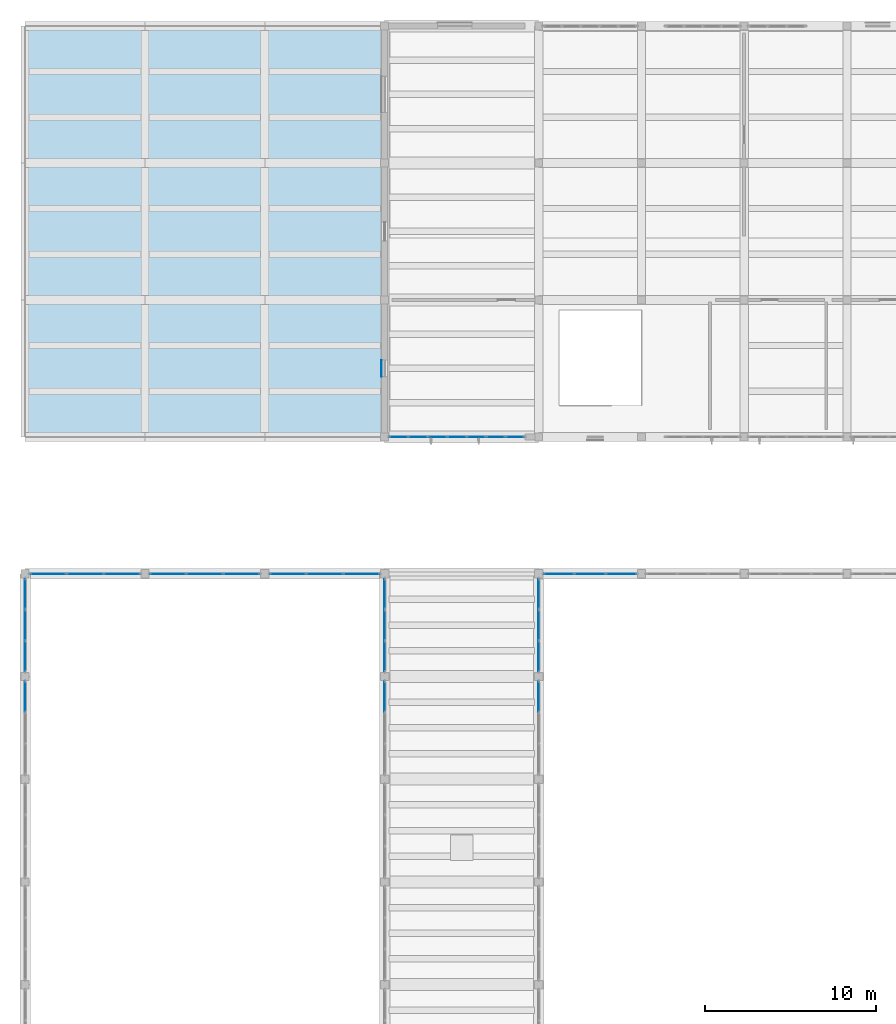
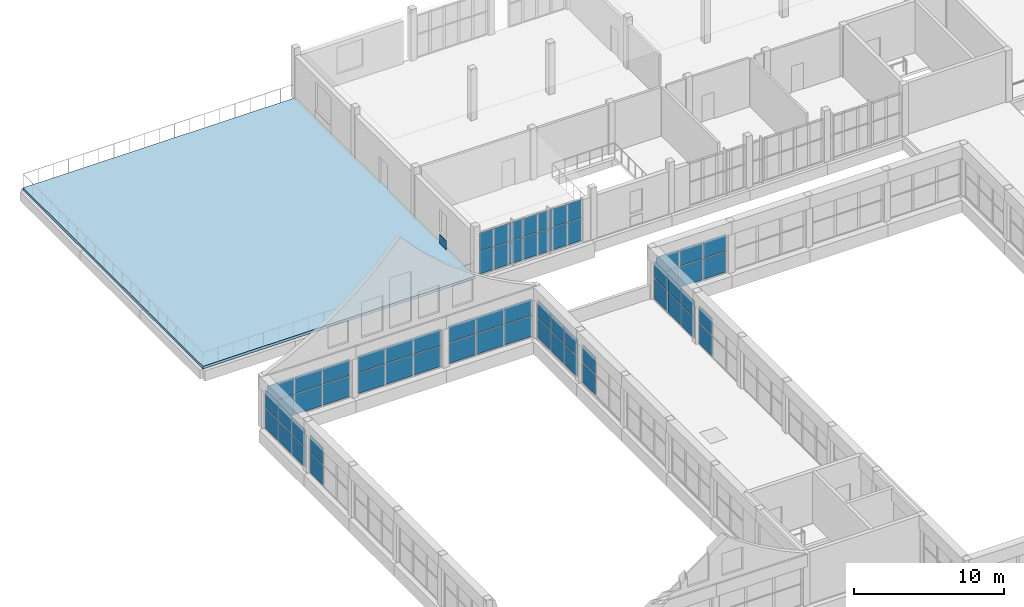
# One storey, part 47 of 70: 63 plates, 1 slab, 11 elements without a shape of their own.
"""IFC4 building model written with IfcOpenShell, lengths in metres."""

from ifc_helpers import new_model, si_unit, direction, frame, origin, origin_2d, place, context, subcontext, project, spatial, polyline, rectangle, outline, extrude, material, layer, layer_set, type_object, element, aggregate, save


model = new_model("IFC4")

# Units and contexts
model_context = context("Model", 3, precision=1e-05, world=origin(), true_north=direction((0.0, 1.0)))
body_context = subcontext(model_context, "Body", "Model", "MODEL_VIEW")
ifc_project = project(units=[si_unit("LENGTHUNIT", "METRE"), si_unit("AREAUNIT", "SQUARE_METRE"), si_unit("VOLUMEUNIT", "CUBIC_METRE"), si_unit("PLANEANGLEUNIT", "RADIAN"), si_unit("MASSUNIT", "GRAM", prefix="KILO")], contexts=[model_context])

# Site, building, storey
site_placement = place(None, origin())
site = spatial("IfcSite", under=ifc_project, at=site_placement, CompositionType="ELEMENT")
building_placement = place(site_placement, origin())
building = spatial("IfcBuilding", under=site, at=building_placement, Name="Solvane Community Centre", CompositionType="ELEMENT")
storey_placement = place(building_placement, frame((0.0, 0.0, 9.60009765625)))
storey = spatial("IfcBuildingStorey", under=building, at=storey_placement, Name="L02", CompositionType="ELEMENT", Elevation=9.60009765625)

# Plate
ifc_material_1 = material(Name="Anodised bronze aluminium AW-6063 T6", Category="aluminium")
ifc_layer_1 = layer(ifc_material_1, 0.02392578125)
ifc_layer_set_1 = layer_set([ifc_layer_1], Name="Anodised bronze aluminium AW-6063 T6")
plate_type_1 = type_object("IfcPlateType", Name="Bronze Spandrel Cassette 24mm", PredefinedType="SHEET", material=ifc_layer_set_1)
plate_1_placement = place(storey_placement, frame((26.81298828125, 90.0, 0.06005859375), z_axis=(0.0, 0.0, 1.0), x_axis=(0.0, 1.0, 0.0)))
element("IfcPlate", 1, at=plate_1_placement, inside=storey, type_object=plate_type_1, Name="Art Deco Spandrel SPC-L02-035", PredefinedType="SHEET", context=body_context, shape_type="SweptSolid", body=[
    extrude(rectangle(XDim=0.949951171875, YDim=0.02392578125, at=origin_2d()), origin(), (0.0, 0.0, 1.0), 0.719970703125),
])

# Slab
ifc_material_2 = material(Name="Concrete C35/45", Category="concrete")
ifc_layer_2 = layer(ifc_material_2, 0.219970703125)
ifc_layer_set_2 = layer_set([ifc_layer_2], Name="Concrete C35/45")
slab_type = type_object("IfcSlabType", Name="Insulated Planted Terrace Slab 220mm [TER-L02-V5W]", PredefinedType="FLOOR", material=ifc_layer_set_2)
slab_placement = place(storey_placement, frame((0.0, 0.0, -0.22021484375)))
element("IfcSlab", 2, at=slab_placement, inside=storey, type_object=slab_type, Name="Cloister West Roof Garden", PredefinedType="FLOOR", context=body_context, shape_type="SweptSolid", body=[
    extrude(outline(polyline([(6.0, 86.0), (27.0, 86.0), (27.0, 110.0), (6.0, 110.0), (6.0, 86.0)])), origin(), (0.0, 0.0, 1.0), 0.22021484375),
])

# Curtain wall, plates
ifc_layer_3 = layer(ifc_material_1, 0.18994140625)
ifc_layer_set_3 = layer_set([ifc_layer_3], Name="Anodised bronze aluminium AW-6063 T6")
curtain_wall_type_1 = type_object("IfcCurtainWallType", Name="Boulevard Bronze Vision Curtain Wall [80x35dm]", PredefinedType="NOTDEFINED", material=ifc_layer_set_3)
curtain_wall_1_placement = place(storey_placement, origin())
curtain_wall_1 = element("IfcCurtainWall", 3, at=curtain_wall_1_placement, inside=storey, type_object=curtain_wall_type_1, Name="Curtain Wall CW-L02-352_860-214", PredefinedType="NOTDEFINED")
ifc_material_3 = material(Name="Tempered low-E double glazing", Category="glass")
ifc_layer_4 = layer(ifc_material_3, 0.028076171875)
ifc_layer_set_4 = layer_set([ifc_layer_4], Name="Tempered low-E double glazing")
plate_type_2 = type_object("IfcPlateType", Name="Low-E Vision Glazing Panel 28mm [80x35dm]", PredefinedType="CURTAIN_PANEL", material=ifc_layer_set_4)
plate_2_placement = place(storey_placement, frame((34.61669921875, 86.0, 0.06005859375), z_axis=(0.0, 0.0, 1.0), x_axis=(-1.0, 0.0, 0.0)))
plate_2 = element("IfcPlate", 4, at=plate_2_placement, type_object=plate_type_2, Name="CW02-80x35 panel 1.1", PredefinedType="CURTAIN_PANEL", context=body_context, shape_type="SweptSolid", body=[
    extrude(rectangle(XDim=1.04638671875, YDim=0.028076171875, at=origin_2d()), origin(), (0.0, 0.0, 1.0), 1.81591796875),
])
plate_3_placement = place(storey_placement, frame((34.61669921875, 86.0, 1.93603515625), z_axis=(0.0, 0.0, 1.0), x_axis=(-1.0, 0.0, 0.0)))
plate_3 = element("IfcPlate", 5, at=plate_3_placement, type_object=plate_type_2, Name="CW02-80x35 panel 1.2", PredefinedType="CURTAIN_PANEL", context=body_context, shape_type="SweptSolid", body=[
    extrude(rectangle(XDim=1.04638671875, YDim=0.028076171875, at=origin_2d()), origin(), (0.0, 0.0, 1.0), 1.468994140625),
])
plate_4_placement = place(storey_placement, frame((33.495361328125, 86.0, 0.06005859375), z_axis=(0.0, 0.0, 1.0), x_axis=(-1.0, 0.0, 0.0)))
plate_4 = element("IfcPlate", 6, at=plate_4_placement, type_object=plate_type_2, Name="CW02-80x35 panel 2.1", PredefinedType="CURTAIN_PANEL", context=body_context, shape_type="SweptSolid", body=[
    extrude(rectangle(XDim=1.076416015625, YDim=0.028076171875, at=origin_2d()), origin(), (0.0, 0.0, 1.0), 1.81591796875),
])
plate_5_placement = place(storey_placement, frame((33.495361328125, 86.0, 1.93603515625), z_axis=(0.0, 0.0, 1.0), x_axis=(-1.0, 0.0, 0.0)))
plate_5 = element("IfcPlate", 7, at=plate_5_placement, type_object=plate_type_2, Name="CW02-80x35 panel 2.2", PredefinedType="CURTAIN_PANEL", context=body_context, shape_type="SweptSolid", body=[
    extrude(rectangle(XDim=1.076416015625, YDim=0.028076171875, at=origin_2d()), origin(), (0.0, 0.0, 1.0), 1.468994140625),
])
plate_6_placement = place(storey_placement, frame((32.35888671875, 86.0, 0.06005859375), z_axis=(0.0, 0.0, 1.0), x_axis=(-1.0, 0.0, 0.0)))
plate_6 = element("IfcPlate", 8, at=plate_6_placement, type_object=plate_type_2, Name="CW02-80x35 panel 3.1", PredefinedType="CURTAIN_PANEL", context=body_context, shape_type="SweptSolid", body=[
    extrude(rectangle(XDim=1.076416015625, YDim=0.028076171875, at=origin_2d()), origin(), (0.0, 0.0, 1.0), 1.81591796875),
])
plate_7_placement = place(storey_placement, frame((32.35888671875, 86.0, 1.93603515625), z_axis=(0.0, 0.0, 1.0), x_axis=(-1.0, 0.0, 0.0)))
plate_7 = element("IfcPlate", 9, at=plate_7_placement, type_object=plate_type_2, Name="CW02-80x35 panel 3.2", PredefinedType="CURTAIN_PANEL", context=body_context, shape_type="SweptSolid", body=[
    extrude(rectangle(XDim=1.076416015625, YDim=0.028076171875, at=origin_2d()), origin(), (0.0, 0.0, 1.0), 1.468994140625),
])
plate_8_placement = place(storey_placement, frame((31.222412109375, 86.0, 0.06005859375), z_axis=(0.0, 0.0, 1.0), x_axis=(-1.0, 0.0, 0.0)))
plate_8 = element("IfcPlate", 10, at=plate_8_placement, type_object=plate_type_2, Name="CW02-80x35 panel 4.1", PredefinedType="CURTAIN_PANEL", context=body_context, shape_type="SweptSolid", body=[
    extrude(rectangle(XDim=1.076416015625, YDim=0.028076171875, at=origin_2d()), origin(), (0.0, 0.0, 1.0), 1.81591796875),
])
plate_9_placement = place(storey_placement, frame((31.222412109375, 86.0, 1.93603515625), z_axis=(0.0, 0.0, 1.0), x_axis=(-1.0, 0.0, 0.0)))
plate_9 = element("IfcPlate", 11, at=plate_9_placement, type_object=plate_type_2, Name="CW02-80x35 panel 4.2", PredefinedType="CURTAIN_PANEL", context=body_context, shape_type="SweptSolid", body=[
    extrude(rectangle(XDim=1.076416015625, YDim=0.028076171875, at=origin_2d()), origin(), (0.0, 0.0, 1.0), 1.468994140625),
])
plate_10_placement = place(storey_placement, frame((30.086181640625, 86.0, 0.06005859375), z_axis=(0.0, 0.0, 1.0), x_axis=(-1.0, 0.0, 0.0)))
plate_10 = element("IfcPlate", 12, at=plate_10_placement, type_object=plate_type_2, Name="CW02-80x35 panel 5.1", PredefinedType="CURTAIN_PANEL", context=body_context, shape_type="SweptSolid", body=[
    extrude(rectangle(XDim=1.076416015625, YDim=0.028076171875, at=origin_2d()), origin(), (0.0, 0.0, 1.0), 1.81591796875),
])
plate_11_placement = place(storey_placement, frame((30.086181640625, 86.0, 1.93603515625), z_axis=(0.0, 0.0, 1.0), x_axis=(-1.0, 0.0, 0.0)))
plate_11 = element("IfcPlate", 13, at=plate_11_placement, type_object=plate_type_2, Name="CW02-80x35 panel 5.2", PredefinedType="CURTAIN_PANEL", context=body_context, shape_type="SweptSolid", body=[
    extrude(rectangle(XDim=1.076416015625, YDim=0.028076171875, at=origin_2d()), origin(), (0.0, 0.0, 1.0), 1.468994140625),
])
plate_12_placement = place(storey_placement, frame((28.94970703125, 86.0, 0.06005859375), z_axis=(0.0, 0.0, 1.0), x_axis=(-1.0, 0.0, 0.0)))
plate_12 = element("IfcPlate", 14, at=plate_12_placement, type_object=plate_type_2, Name="CW02-80x35 panel 6.1", PredefinedType="CURTAIN_PANEL", context=body_context, shape_type="SweptSolid", body=[
    extrude(rectangle(XDim=1.076416015625, YDim=0.028076171875, at=origin_2d()), origin(), (0.0, 0.0, 1.0), 1.81591796875),
])
plate_13_placement = place(storey_placement, frame((28.94970703125, 86.0, 1.93603515625), z_axis=(0.0, 0.0, 1.0), x_axis=(-1.0, 0.0, 0.0)))
plate_13 = element("IfcPlate", 15, at=plate_13_placement, type_object=plate_type_2, Name="CW02-80x35 panel 6.2", PredefinedType="CURTAIN_PANEL", context=body_context, shape_type="SweptSolid", body=[
    extrude(rectangle(XDim=1.076416015625, YDim=0.028076171875, at=origin_2d()), origin(), (0.0, 0.0, 1.0), 1.468994140625),
])
plate_14_placement = place(storey_placement, frame((27.828125, 86.0, 0.06005859375), z_axis=(0.0, 0.0, 1.0), x_axis=(-1.0, 0.0, 0.0)))
plate_14 = element("IfcPlate", 16, at=plate_14_placement, type_object=plate_type_2, Name="CW02-80x35 panel 7.1", PredefinedType="CURTAIN_PANEL", context=body_context, shape_type="SweptSolid", body=[
    extrude(rectangle(XDim=1.04638671875, YDim=0.028076171875, at=origin_2d()), origin(), (0.0, 0.0, 1.0), 1.81591796875),
])
plate_15_placement = place(storey_placement, frame((27.828125, 86.0, 1.93603515625), z_axis=(0.0, 0.0, 1.0), x_axis=(-1.0, 0.0, 0.0)))
plate_15 = element("IfcPlate", 17, at=plate_15_placement, type_object=plate_type_2, Name="CW02-80x35 panel 7.2", PredefinedType="CURTAIN_PANEL", context=body_context, shape_type="SweptSolid", body=[
    extrude(rectangle(XDim=1.04638671875, YDim=0.028076171875, at=origin_2d()), origin(), (0.0, 0.0, 1.0), 1.468994140625),
])
aggregate(curtain_wall_1, [plate_2, plate_3, plate_4, plate_5, plate_6, plate_7, plate_8, plate_9, plate_10, plate_11, plate_12, plate_13, plate_14, plate_15])

ifc_layer_5 = layer(ifc_material_1, 0.179931640625)
ifc_layer_set_5 = layer_set([ifc_layer_5], Name="Anodised bronze aluminium AW-6063 T6")
curtain_wall_type_2 = type_object("IfcCurtainWallType", Name="Hall Translucent Upper Curtain Wall [55x32dm]", PredefinedType="NOTDEFINED", material=ifc_layer_set_5)
curtain_wall_2_placement = place(storey_placement, origin())
curtain_wall_2 = element("IfcCurtainWall", 18, at=curtain_wall_2_placement, inside=storey, type_object=curtain_wall_type_2, Name="Curtain Wall CW-L02-360_777-122", PredefinedType="NOTDEFINED")
ifc_material_4 = material(Name="Translucent polycarbonate panel")
ifc_layer_6 = layer(ifc_material_4, 0.028076171875)
ifc_layer_set_6 = layer_set([ifc_layer_6], Name="Translucent polycarbonate panel")
plate_type_3 = type_object("IfcPlateType", Name="Translucent Polycarbonate Panel 28mm [55x32dm]", PredefinedType="CURTAIN_PANEL", material=ifc_layer_set_6)
plate_16_placement = place(storey_placement, frame((36.0, 76.81494140625, 0.059814453125), z_axis=(0.0, 0.0, 1.0), x_axis=(0.0, -1.0, 0.0)))
plate_16 = element("IfcPlate", 19, at=plate_16_placement, type_object=plate_type_3, Name="CW01-55x32 panel 1.1", PredefinedType="CURTAIN_PANEL", context=body_context, shape_type="SweptSolid", body=[
    extrude(rectangle(XDim=1.739990234375, YDim=0.028076171875, at=origin_2d()), origin(), (0.0, 0.0, 1.0), 1.662109375),
])
plate_17_placement = place(storey_placement, frame((36.0, 76.81494140625, 1.78173828125), z_axis=(0.0, 0.0, 1.0), x_axis=(0.0, -1.0, 0.0)))
plate_17 = element("IfcPlate", 20, at=plate_17_placement, type_object=plate_type_3, Name="CW01-55x32 panel 1.2", PredefinedType="CURTAIN_PANEL", context=body_context, shape_type="SweptSolid", body=[
    extrude(rectangle(XDim=1.739990234375, YDim=0.028076171875, at=origin_2d()), origin(), (0.0, 0.0, 1.0), 1.343017578125),
])
plate_18_placement = place(storey_placement, frame((36.0, 75.0, 0.059814453125), z_axis=(0.0, 0.0, 1.0), x_axis=(0.0, -1.0, 0.0)))
plate_18 = element("IfcPlate", 21, at=plate_18_placement, type_object=plate_type_3, Name="CW01-55x32 panel 2.1", PredefinedType="CURTAIN_PANEL", context=body_context, shape_type="SweptSolid", body=[
    extrude(rectangle(XDim=1.77001953125, YDim=0.028076171875, at=origin_2d()), origin(), (0.0, 0.0, 1.0), 1.662109375),
])
plate_19_placement = place(storey_placement, frame((36.0, 75.0, 1.78173828125), z_axis=(0.0, 0.0, 1.0), x_axis=(0.0, -1.0, 0.0)))
plate_19 = element("IfcPlate", 22, at=plate_19_placement, type_object=plate_type_3, Name="CW01-55x32 panel 2.2", PredefinedType="CURTAIN_PANEL", context=body_context, shape_type="SweptSolid", body=[
    extrude(rectangle(XDim=1.77001953125, YDim=0.028076171875, at=origin_2d()), origin(), (0.0, 0.0, 1.0), 1.343017578125),
])
plate_20_placement = place(storey_placement, frame((36.0, 73.18505859375, 0.059814453125), z_axis=(0.0, 0.0, 1.0), x_axis=(0.0, -1.0, 0.0)))
plate_20 = element("IfcPlate", 23, at=plate_20_placement, type_object=plate_type_3, Name="CW01-55x32 panel 3.1", PredefinedType="CURTAIN_PANEL", context=body_context, shape_type="SweptSolid", body=[
    extrude(rectangle(XDim=1.739990234375, YDim=0.028076171875, at=origin_2d()), origin(), (0.0, 0.0, 1.0), 1.662109375),
])
plate_21_placement = place(storey_placement, frame((36.0, 73.18505859375, 1.78173828125), z_axis=(0.0, 0.0, 1.0), x_axis=(0.0, -1.0, 0.0)))
plate_21 = element("IfcPlate", 24, at=plate_21_placement, type_object=plate_type_3, Name="CW01-55x32 panel 3.2", PredefinedType="CURTAIN_PANEL", context=body_context, shape_type="SweptSolid", body=[
    extrude(rectangle(XDim=1.739990234375, YDim=0.028076171875, at=origin_2d()), origin(), (0.0, 0.0, 1.0), 1.343017578125),
])
aggregate(curtain_wall_2, [plate_16, plate_17, plate_18, plate_19, plate_20, plate_21])

curtain_wall_3_placement = place(storey_placement, origin())
curtain_wall_3 = element("IfcCurtainWall", 25, at=curtain_wall_3_placement, inside=storey, type_object=curtain_wall_type_2, Name="Curtain Wall CW-L02-360_717-123", PredefinedType="NOTDEFINED")
plate_22_placement = place(storey_placement, frame((36.0, 70.81494140625, 0.059814453125), z_axis=(0.0, 0.0, 1.0), x_axis=(0.0, -1.0, 0.0)))
plate_22 = element("IfcPlate", 26, at=plate_22_placement, type_object=plate_type_3, Name="CW01-55x32 panel 1.1", PredefinedType="CURTAIN_PANEL", context=body_context, shape_type="SweptSolid", body=[
    extrude(rectangle(XDim=1.739990234375, YDim=0.028076171875, at=origin_2d()), origin(), (0.0, 0.0, 1.0), 1.662109375),
])
plate_23_placement = place(storey_placement, frame((36.0, 70.81494140625, 1.78173828125), z_axis=(0.0, 0.0, 1.0), x_axis=(0.0, -1.0, 0.0)))
plate_23 = element("IfcPlate", 27, at=plate_23_placement, type_object=plate_type_3, Name="CW01-55x32 panel 1.2", PredefinedType="CURTAIN_PANEL", context=body_context, shape_type="SweptSolid", body=[
    extrude(rectangle(XDim=1.739990234375, YDim=0.028076171875, at=origin_2d()), origin(), (0.0, 0.0, 1.0), 1.343017578125),
])
aggregate(curtain_wall_3, [plate_22, plate_23])

curtain_wall_4_placement = place(storey_placement, origin())
curtain_wall_4 = element("IfcCurtainWall", 28, at=curtain_wall_4_placement, inside=storey, type_object=curtain_wall_type_2, Name="Curtain Wall CW-L02-363_780-158", PredefinedType="NOTDEFINED")
plate_24_placement = place(storey_placement, frame((37.18505859375, 78.0, 0.059814453125), z_axis=(0.0, 0.0, 1.0), x_axis=(1.0, 0.0, 0.0)))
plate_24 = element("IfcPlate", 29, at=plate_24_placement, type_object=plate_type_3, Name="CW01-55x32 panel 1.1", PredefinedType="CURTAIN_PANEL", context=body_context, shape_type="SweptSolid", body=[
    extrude(rectangle(XDim=1.739990234375, YDim=0.028076171875, at=origin_2d()), origin(), (0.0, 0.0, 1.0), 1.662109375),
])
plate_25_placement = place(storey_placement, frame((37.18505859375, 78.0, 1.78173828125), z_axis=(0.0, 0.0, 1.0), x_axis=(1.0, 0.0, 0.0)))
plate_25 = element("IfcPlate", 30, at=plate_25_placement, type_object=plate_type_3, Name="CW01-55x32 panel 1.2", PredefinedType="CURTAIN_PANEL", context=body_context, shape_type="SweptSolid", body=[
    extrude(rectangle(XDim=1.739990234375, YDim=0.028076171875, at=origin_2d()), origin(), (0.0, 0.0, 1.0), 1.343017578125),
])
plate_26_placement = place(storey_placement, frame((39.0, 78.0, 0.059814453125), z_axis=(0.0, 0.0, 1.0), x_axis=(1.0, 0.0, 0.0)))
plate_26 = element("IfcPlate", 31, at=plate_26_placement, type_object=plate_type_3, Name="CW01-55x32 panel 2.1", PredefinedType="CURTAIN_PANEL", context=body_context, shape_type="SweptSolid", body=[
    extrude(rectangle(XDim=1.77001953125, YDim=0.028076171875, at=origin_2d()), origin(), (0.0, 0.0, 1.0), 1.662109375),
])
plate_27_placement = place(storey_placement, frame((39.0, 78.0, 1.78173828125), z_axis=(0.0, 0.0, 1.0), x_axis=(1.0, 0.0, 0.0)))
plate_27 = element("IfcPlate", 32, at=plate_27_placement, type_object=plate_type_3, Name="CW01-55x32 panel 2.2", PredefinedType="CURTAIN_PANEL", context=body_context, shape_type="SweptSolid", body=[
    extrude(rectangle(XDim=1.77001953125, YDim=0.028076171875, at=origin_2d()), origin(), (0.0, 0.0, 1.0), 1.343017578125),
])
plate_28_placement = place(storey_placement, frame((40.81494140625, 78.0, 0.059814453125), z_axis=(0.0, 0.0, 1.0), x_axis=(1.0, 0.0, 0.0)))
plate_28 = element("IfcPlate", 33, at=plate_28_placement, type_object=plate_type_3, Name="CW01-55x32 panel 3.1", PredefinedType="CURTAIN_PANEL", context=body_context, shape_type="SweptSolid", body=[
    extrude(rectangle(XDim=1.739990234375, YDim=0.028076171875, at=origin_2d()), origin(), (0.0, 0.0, 1.0), 1.662109375),
])
plate_29_placement = place(storey_placement, frame((40.81494140625, 78.0, 1.78173828125), z_axis=(0.0, 0.0, 1.0), x_axis=(1.0, 0.0, 0.0)))
plate_29 = element("IfcPlate", 34, at=plate_29_placement, type_object=plate_type_3, Name="CW01-55x32 panel 3.2", PredefinedType="CURTAIN_PANEL", context=body_context, shape_type="SweptSolid", body=[
    extrude(rectangle(XDim=1.739990234375, YDim=0.028076171875, at=origin_2d()), origin(), (0.0, 0.0, 1.0), 1.343017578125),
])
aggregate(curtain_wall_4, [plate_24, plate_25, plate_26, plate_27, plate_28, plate_29])

curtain_wall_5_placement = place(storey_placement, origin())
curtain_wall_5 = element("IfcCurtainWall", 35, at=curtain_wall_5_placement, inside=storey, type_object=curtain_wall_type_2, Name="Curtain Wall CW-L02-60_777-166", PredefinedType="NOTDEFINED")
plate_30_placement = place(storey_placement, frame((6.0, 76.81494140625, 0.059814453125), z_axis=(0.0, 0.0, 1.0), x_axis=(0.0, -1.0, 0.0)))
plate_30 = element("IfcPlate", 36, at=plate_30_placement, type_object=plate_type_3, Name="CW01-55x32 panel 1.1", PredefinedType="CURTAIN_PANEL", context=body_context, shape_type="SweptSolid", body=[
    extrude(rectangle(XDim=1.739990234375, YDim=0.028076171875, at=origin_2d()), origin(), (0.0, 0.0, 1.0), 1.662109375),
])
plate_31_placement = place(storey_placement, frame((6.0, 76.81494140625, 1.78173828125), z_axis=(0.0, 0.0, 1.0), x_axis=(0.0, -1.0, 0.0)))
plate_31 = element("IfcPlate", 37, at=plate_31_placement, type_object=plate_type_3, Name="CW01-55x32 panel 1.2", PredefinedType="CURTAIN_PANEL", context=body_context, shape_type="SweptSolid", body=[
    extrude(rectangle(XDim=1.739990234375, YDim=0.028076171875, at=origin_2d()), origin(), (0.0, 0.0, 1.0), 1.343017578125),
])
plate_32_placement = place(storey_placement, frame((6.0, 75.0, 0.059814453125), z_axis=(0.0, 0.0, 1.0), x_axis=(0.0, -1.0, 0.0)))
plate_32 = element("IfcPlate", 38, at=plate_32_placement, type_object=plate_type_3, Name="CW01-55x32 panel 2.1", PredefinedType="CURTAIN_PANEL", context=body_context, shape_type="SweptSolid", body=[
    extrude(rectangle(XDim=1.77001953125, YDim=0.028076171875, at=origin_2d()), origin(), (0.0, 0.0, 1.0), 1.662109375),
])
plate_33_placement = place(storey_placement, frame((6.0, 75.0, 1.78173828125), z_axis=(0.0, 0.0, 1.0), x_axis=(0.0, -1.0, 0.0)))
plate_33 = element("IfcPlate", 39, at=plate_33_placement, type_object=plate_type_3, Name="CW01-55x32 panel 2.2", PredefinedType="CURTAIN_PANEL", context=body_context, shape_type="SweptSolid", body=[
    extrude(rectangle(XDim=1.77001953125, YDim=0.028076171875, at=origin_2d()), origin(), (0.0, 0.0, 1.0), 1.343017578125),
])
plate_34_placement = place(storey_placement, frame((6.0, 73.18505859375, 0.059814453125), z_axis=(0.0, 0.0, 1.0), x_axis=(0.0, -1.0, 0.0)))
plate_34 = element("IfcPlate", 40, at=plate_34_placement, type_object=plate_type_3, Name="CW01-55x32 panel 3.1", PredefinedType="CURTAIN_PANEL", context=body_context, shape_type="SweptSolid", body=[
    extrude(rectangle(XDim=1.739990234375, YDim=0.028076171875, at=origin_2d()), origin(), (0.0, 0.0, 1.0), 1.662109375),
])
plate_35_placement = place(storey_placement, frame((6.0, 73.18505859375, 1.78173828125), z_axis=(0.0, 0.0, 1.0), x_axis=(0.0, -1.0, 0.0)))
plate_35 = element("IfcPlate", 41, at=plate_35_placement, type_object=plate_type_3, Name="CW01-55x32 panel 3.2", PredefinedType="CURTAIN_PANEL", context=body_context, shape_type="SweptSolid", body=[
    extrude(rectangle(XDim=1.739990234375, YDim=0.028076171875, at=origin_2d()), origin(), (0.0, 0.0, 1.0), 1.343017578125),
])
aggregate(curtain_wall_5, [plate_30, plate_31, plate_32, plate_33, plate_34, plate_35])

curtain_wall_6_placement = place(storey_placement, origin())
curtain_wall_6 = element("IfcCurtainWall", 42, at=curtain_wall_6_placement, inside=storey, type_object=curtain_wall_type_2, Name="Curtain Wall CW-L02-60_717-167", PredefinedType="NOTDEFINED")
plate_36_placement = place(storey_placement, frame((6.0, 70.81494140625, 0.059814453125), z_axis=(0.0, 0.0, 1.0), x_axis=(0.0, -1.0, 0.0)))
plate_36 = element("IfcPlate", 43, at=plate_36_placement, type_object=plate_type_3, Name="CW01-55x32 panel 1.1", PredefinedType="CURTAIN_PANEL", context=body_context, shape_type="SweptSolid", body=[
    extrude(rectangle(XDim=1.739990234375, YDim=0.028076171875, at=origin_2d()), origin(), (0.0, 0.0, 1.0), 1.662109375),
])
plate_37_placement = place(storey_placement, frame((6.0, 70.81494140625, 1.78173828125), z_axis=(0.0, 0.0, 1.0), x_axis=(0.0, -1.0, 0.0)))
plate_37 = element("IfcPlate", 44, at=plate_37_placement, type_object=plate_type_3, Name="CW01-55x32 panel 1.2", PredefinedType="CURTAIN_PANEL", context=body_context, shape_type="SweptSolid", body=[
    extrude(rectangle(XDim=1.739990234375, YDim=0.028076171875, at=origin_2d()), origin(), (0.0, 0.0, 1.0), 1.343017578125),
])
aggregate(curtain_wall_6, [plate_36, plate_37])

curtain_wall_7_placement = place(storey_placement, origin())
curtain_wall_7 = element("IfcCurtainWall", 45, at=curtain_wall_7_placement, inside=storey, type_object=curtain_wall_type_2, Name="Curtain Wall CW-L02-270_663-176", PredefinedType="NOTDEFINED")
plate_38_placement = place(storey_placement, frame((27.0, 70.81494140625, 0.059814453125), z_axis=(0.0, 0.0, 1.0), x_axis=(0.0, 1.0, 0.0)))
plate_38 = element("IfcPlate", 46, at=plate_38_placement, type_object=plate_type_3, Name="CW01-55x32 panel 3.1", PredefinedType="CURTAIN_PANEL", context=body_context, shape_type="SweptSolid", body=[
    extrude(rectangle(XDim=1.739990234375, YDim=0.028076171875, at=origin_2d()), origin(), (0.0, 0.0, 1.0), 1.662109375),
])
plate_39_placement = place(storey_placement, frame((27.0, 70.81494140625, 1.78173828125), z_axis=(0.0, 0.0, 1.0), x_axis=(0.0, 1.0, 0.0)))
plate_39 = element("IfcPlate", 47, at=plate_39_placement, type_object=plate_type_3, Name="CW01-55x32 panel 3.2", PredefinedType="CURTAIN_PANEL", context=body_context, shape_type="SweptSolid", body=[
    extrude(rectangle(XDim=1.739990234375, YDim=0.028076171875, at=origin_2d()), origin(), (0.0, 0.0, 1.0), 1.343017578125),
])
aggregate(curtain_wall_7, [plate_38, plate_39])

curtain_wall_8_placement = place(storey_placement, origin())
curtain_wall_8 = element("IfcCurtainWall", 48, at=curtain_wall_8_placement, inside=storey, type_object=curtain_wall_type_2, Name="Curtain Wall CW-L02-270_723-177", PredefinedType="NOTDEFINED")
plate_40_placement = place(storey_placement, frame((27.0, 73.18505859375, 0.059814453125), z_axis=(0.0, 0.0, 1.0), x_axis=(0.0, 1.0, 0.0)))
plate_40 = element("IfcPlate", 49, at=plate_40_placement, type_object=plate_type_3, Name="CW01-55x32 panel 1.1", PredefinedType="CURTAIN_PANEL", context=body_context, shape_type="SweptSolid", body=[
    extrude(rectangle(XDim=1.739990234375, YDim=0.028076171875, at=origin_2d()), origin(), (0.0, 0.0, 1.0), 1.662109375),
])
plate_41_placement = place(storey_placement, frame((27.0, 73.18505859375, 1.78173828125), z_axis=(0.0, 0.0, 1.0), x_axis=(0.0, 1.0, 0.0)))
plate_41 = element("IfcPlate", 50, at=plate_41_placement, type_object=plate_type_3, Name="CW01-55x32 panel 1.2", PredefinedType="CURTAIN_PANEL", context=body_context, shape_type="SweptSolid", body=[
    extrude(rectangle(XDim=1.739990234375, YDim=0.028076171875, at=origin_2d()), origin(), (0.0, 0.0, 1.0), 1.343017578125),
])
plate_42_placement = place(storey_placement, frame((27.0, 75.0, 0.059814453125), z_axis=(0.0, 0.0, 1.0), x_axis=(0.0, 1.0, 0.0)))
plate_42 = element("IfcPlate", 51, at=plate_42_placement, type_object=plate_type_3, Name="CW01-55x32 panel 2.1", PredefinedType="CURTAIN_PANEL", context=body_context, shape_type="SweptSolid", body=[
    extrude(rectangle(XDim=1.77001953125, YDim=0.028076171875, at=origin_2d()), origin(), (0.0, 0.0, 1.0), 1.662109375),
])
plate_43_placement = place(storey_placement, frame((27.0, 75.0, 1.78173828125), z_axis=(0.0, 0.0, 1.0), x_axis=(0.0, 1.0, 0.0)))
plate_43 = element("IfcPlate", 52, at=plate_43_placement, type_object=plate_type_3, Name="CW01-55x32 panel 2.2", PredefinedType="CURTAIN_PANEL", context=body_context, shape_type="SweptSolid", body=[
    extrude(rectangle(XDim=1.77001953125, YDim=0.028076171875, at=origin_2d()), origin(), (0.0, 0.0, 1.0), 1.343017578125),
])
plate_44_placement = place(storey_placement, frame((27.0, 76.81494140625, 0.059814453125), z_axis=(0.0, 0.0, 1.0), x_axis=(0.0, 1.0, 0.0)))
plate_44 = element("IfcPlate", 53, at=plate_44_placement, type_object=plate_type_3, Name="CW01-55x32 panel 3.1", PredefinedType="CURTAIN_PANEL", context=body_context, shape_type="SweptSolid", body=[
    extrude(rectangle(XDim=1.739990234375, YDim=0.028076171875, at=origin_2d()), origin(), (0.0, 0.0, 1.0), 1.662109375),
])
plate_45_placement = place(storey_placement, frame((27.0, 76.81494140625, 1.78173828125), z_axis=(0.0, 0.0, 1.0), x_axis=(0.0, 1.0, 0.0)))
plate_45 = element("IfcPlate", 54, at=plate_45_placement, type_object=plate_type_3, Name="CW01-55x32 panel 3.2", PredefinedType="CURTAIN_PANEL", context=body_context, shape_type="SweptSolid", body=[
    extrude(rectangle(XDim=1.739990234375, YDim=0.028076171875, at=origin_2d()), origin(), (0.0, 0.0, 1.0), 1.343017578125),
])
aggregate(curtain_wall_8, [plate_40, plate_41, plate_42, plate_43, plate_44, plate_45])

ifc_layer_7 = layer(ifc_material_1, 0.179931640625)
ifc_layer_set_7 = layer_set([ifc_layer_7], Name="Anodised bronze aluminium AW-6063 T6")
curtain_wall_type_3 = type_object("IfcCurtainWallType", Name="Hall Translucent Upper Curtain Wall [65x32dm]", PredefinedType="NOTDEFINED", material=ifc_layer_set_7)
curtain_wall_9_placement = place(storey_placement, origin())
curtain_wall_9 = element("IfcCurtainWall", 55, at=curtain_wall_9_placement, inside=storey, type_object=curtain_wall_type_3, Name="Curtain Wall CW-L02-63_780-181", PredefinedType="NOTDEFINED")
ifc_layer_8 = layer(ifc_material_4, 0.028076171875)
ifc_layer_set_8 = layer_set([ifc_layer_8], Name="Translucent polycarbonate panel")
plate_type_4 = type_object("IfcPlateType", Name="Translucent Polycarbonate Panel 28mm [65x32dm]", PredefinedType="CURTAIN_PANEL", material=ifc_layer_set_8)
plate_46_placement = place(storey_placement, frame((7.3515625, 78.0, 0.059814453125), z_axis=(0.0, 0.0, 1.0), x_axis=(1.0, 0.0, 0.0)))
plate_46 = element("IfcPlate", 56, at=plate_46_placement, type_object=plate_type_4, Name="CW01-65x32 panel 1.1", PredefinedType="CURTAIN_PANEL", context=body_context, shape_type="SweptSolid", body=[
    extrude(rectangle(XDim=2.0732421875, YDim=0.028076171875, at=origin_2d()), origin(), (0.0, 0.0, 1.0), 1.662109375),
])
plate_47_placement = place(storey_placement, frame((7.3515625, 78.0, 1.78173828125), z_axis=(0.0, 0.0, 1.0), x_axis=(1.0, 0.0, 0.0)))
plate_47 = element("IfcPlate", 57, at=plate_47_placement, type_object=plate_type_4, Name="CW01-65x32 panel 1.2", PredefinedType="CURTAIN_PANEL", context=body_context, shape_type="SweptSolid", body=[
    extrude(rectangle(XDim=2.0732421875, YDim=0.028076171875, at=origin_2d()), origin(), (0.0, 0.0, 1.0), 1.343017578125),
])
plate_48_placement = place(storey_placement, frame((9.5, 78.0, 0.059814453125), z_axis=(0.0, 0.0, 1.0), x_axis=(1.0, 0.0, 0.0)))
plate_48 = element("IfcPlate", 58, at=plate_48_placement, type_object=plate_type_4, Name="CW01-65x32 panel 2.1", PredefinedType="CURTAIN_PANEL", context=body_context, shape_type="SweptSolid", body=[
    extrude(rectangle(XDim=2.103271484375, YDim=0.028076171875, at=origin_2d()), origin(), (0.0, 0.0, 1.0), 1.662109375),
])
plate_49_placement = place(storey_placement, frame((9.5, 78.0, 1.78173828125), z_axis=(0.0, 0.0, 1.0), x_axis=(1.0, 0.0, 0.0)))
plate_49 = element("IfcPlate", 59, at=plate_49_placement, type_object=plate_type_4, Name="CW01-65x32 panel 2.2", PredefinedType="CURTAIN_PANEL", context=body_context, shape_type="SweptSolid", body=[
    extrude(rectangle(XDim=2.103271484375, YDim=0.028076171875, at=origin_2d()), origin(), (0.0, 0.0, 1.0), 1.343017578125),
])
plate_50_placement = place(storey_placement, frame((11.6484375, 78.0, 0.059814453125), z_axis=(0.0, 0.0, 1.0), x_axis=(1.0, 0.0, 0.0)))
plate_50 = element("IfcPlate", 60, at=plate_50_placement, type_object=plate_type_4, Name="CW01-65x32 panel 3.1", PredefinedType="CURTAIN_PANEL", context=body_context, shape_type="SweptSolid", body=[
    extrude(rectangle(XDim=2.0732421875, YDim=0.028076171875, at=origin_2d()), origin(), (0.0, 0.0, 1.0), 1.662109375),
])
plate_51_placement = place(storey_placement, frame((11.6484375, 78.0, 1.78173828125), z_axis=(0.0, 0.0, 1.0), x_axis=(1.0, 0.0, 0.0)))
plate_51 = element("IfcPlate", 61, at=plate_51_placement, type_object=plate_type_4, Name="CW01-65x32 panel 3.2", PredefinedType="CURTAIN_PANEL", context=body_context, shape_type="SweptSolid", body=[
    extrude(rectangle(XDim=2.0732421875, YDim=0.028076171875, at=origin_2d()), origin(), (0.0, 0.0, 1.0), 1.343017578125),
])
aggregate(curtain_wall_9, [plate_46, plate_47, plate_48, plate_49, plate_50, plate_51])

curtain_wall_10_placement = place(storey_placement, origin())
curtain_wall_10 = element("IfcCurtainWall", 62, at=curtain_wall_10_placement, inside=storey, type_object=curtain_wall_type_3, Name="Curtain Wall CW-L02-133_780-182", PredefinedType="NOTDEFINED")
plate_52_placement = place(storey_placement, frame((14.3515625, 78.0, 0.059814453125), z_axis=(0.0, 0.0, 1.0), x_axis=(1.0, 0.0, 0.0)))
plate_52 = element("IfcPlate", 63, at=plate_52_placement, type_object=plate_type_4, Name="CW01-65x32 panel 1.1", PredefinedType="CURTAIN_PANEL", context=body_context, shape_type="SweptSolid", body=[
    extrude(rectangle(XDim=2.0732421875, YDim=0.028076171875, at=origin_2d()), origin(), (0.0, 0.0, 1.0), 1.662109375),
])
plate_53_placement = place(storey_placement, frame((14.3515625, 78.0, 1.78173828125), z_axis=(0.0, 0.0, 1.0), x_axis=(1.0, 0.0, 0.0)))
plate_53 = element("IfcPlate", 64, at=plate_53_placement, type_object=plate_type_4, Name="CW01-65x32 panel 1.2", PredefinedType="CURTAIN_PANEL", context=body_context, shape_type="SweptSolid", body=[
    extrude(rectangle(XDim=2.0732421875, YDim=0.028076171875, at=origin_2d()), origin(), (0.0, 0.0, 1.0), 1.343017578125),
])
plate_54_placement = place(storey_placement, frame((16.5, 78.0, 0.059814453125), z_axis=(0.0, 0.0, 1.0), x_axis=(1.0, 0.0, 0.0)))
plate_54 = element("IfcPlate", 65, at=plate_54_placement, type_object=plate_type_4, Name="CW01-65x32 panel 2.1", PredefinedType="CURTAIN_PANEL", context=body_context, shape_type="SweptSolid", body=[
    extrude(rectangle(XDim=2.103271484375, YDim=0.028076171875, at=origin_2d()), origin(), (0.0, 0.0, 1.0), 1.662109375),
])
plate_55_placement = place(storey_placement, frame((16.5, 78.0, 1.78173828125), z_axis=(0.0, 0.0, 1.0), x_axis=(1.0, 0.0, 0.0)))
plate_55 = element("IfcPlate", 66, at=plate_55_placement, type_object=plate_type_4, Name="CW01-65x32 panel 2.2", PredefinedType="CURTAIN_PANEL", context=body_context, shape_type="SweptSolid", body=[
    extrude(rectangle(XDim=2.103271484375, YDim=0.028076171875, at=origin_2d()), origin(), (0.0, 0.0, 1.0), 1.343017578125),
])
plate_56_placement = place(storey_placement, frame((18.6484375, 78.0, 0.059814453125), z_axis=(0.0, 0.0, 1.0), x_axis=(1.0, 0.0, 0.0)))
plate_56 = element("IfcPlate", 67, at=plate_56_placement, type_object=plate_type_4, Name="CW01-65x32 panel 3.1", PredefinedType="CURTAIN_PANEL", context=body_context, shape_type="SweptSolid", body=[
    extrude(rectangle(XDim=2.0732421875, YDim=0.028076171875, at=origin_2d()), origin(), (0.0, 0.0, 1.0), 1.662109375),
])
plate_57_placement = place(storey_placement, frame((18.6484375, 78.0, 1.78173828125), z_axis=(0.0, 0.0, 1.0), x_axis=(1.0, 0.0, 0.0)))
plate_57 = element("IfcPlate", 68, at=plate_57_placement, type_object=plate_type_4, Name="CW01-65x32 panel 3.2", PredefinedType="CURTAIN_PANEL", context=body_context, shape_type="SweptSolid", body=[
    extrude(rectangle(XDim=2.0732421875, YDim=0.028076171875, at=origin_2d()), origin(), (0.0, 0.0, 1.0), 1.343017578125),
])
aggregate(curtain_wall_10, [plate_52, plate_53, plate_54, plate_55, plate_56, plate_57])

curtain_wall_11_placement = place(storey_placement, origin())
curtain_wall_11 = element("IfcCurtainWall", 69, at=curtain_wall_11_placement, inside=storey, type_object=curtain_wall_type_3, Name="Curtain Wall CW-L02-203_780-183", PredefinedType="NOTDEFINED")
plate_58_placement = place(storey_placement, frame((21.3515625, 78.0, 0.059814453125), z_axis=(0.0, 0.0, 1.0), x_axis=(1.0, 0.0, 0.0)))
plate_58 = element("IfcPlate", 70, at=plate_58_placement, type_object=plate_type_4, Name="CW01-65x32 panel 1.1", PredefinedType="CURTAIN_PANEL", context=body_context, shape_type="SweptSolid", body=[
    extrude(rectangle(XDim=2.0732421875, YDim=0.028076171875, at=origin_2d()), origin(), (0.0, 0.0, 1.0), 1.662109375),
])
plate_59_placement = place(storey_placement, frame((21.3515625, 78.0, 1.78173828125), z_axis=(0.0, 0.0, 1.0), x_axis=(1.0, 0.0, 0.0)))
plate_59 = element("IfcPlate", 71, at=plate_59_placement, type_object=plate_type_4, Name="CW01-65x32 panel 1.2", PredefinedType="CURTAIN_PANEL", context=body_context, shape_type="SweptSolid", body=[
    extrude(rectangle(XDim=2.0732421875, YDim=0.028076171875, at=origin_2d()), origin(), (0.0, 0.0, 1.0), 1.343017578125),
])
plate_60_placement = place(storey_placement, frame((23.5, 78.0, 0.059814453125), z_axis=(0.0, 0.0, 1.0), x_axis=(1.0, 0.0, 0.0)))
plate_60 = element("IfcPlate", 72, at=plate_60_placement, type_object=plate_type_4, Name="CW01-65x32 panel 2.1", PredefinedType="CURTAIN_PANEL", context=body_context, shape_type="SweptSolid", body=[
    extrude(rectangle(XDim=2.103271484375, YDim=0.028076171875, at=origin_2d()), origin(), (0.0, 0.0, 1.0), 1.662109375),
])
plate_61_placement = place(storey_placement, frame((23.5, 78.0, 1.78173828125), z_axis=(0.0, 0.0, 1.0), x_axis=(1.0, 0.0, 0.0)))
plate_61 = element("IfcPlate", 73, at=plate_61_placement, type_object=plate_type_4, Name="CW01-65x32 panel 2.2", PredefinedType="CURTAIN_PANEL", context=body_context, shape_type="SweptSolid", body=[
    extrude(rectangle(XDim=2.103271484375, YDim=0.028076171875, at=origin_2d()), origin(), (0.0, 0.0, 1.0), 1.343017578125),
])
plate_62_placement = place(storey_placement, frame((25.6484375, 78.0, 0.059814453125), z_axis=(0.0, 0.0, 1.0), x_axis=(1.0, 0.0, 0.0)))
plate_62 = element("IfcPlate", 74, at=plate_62_placement, type_object=plate_type_4, Name="CW01-65x32 panel 3.1", PredefinedType="CURTAIN_PANEL", context=body_context, shape_type="SweptSolid", body=[
    extrude(rectangle(XDim=2.0732421875, YDim=0.028076171875, at=origin_2d()), origin(), (0.0, 0.0, 1.0), 1.662109375),
])
plate_63_placement = place(storey_placement, frame((25.6484375, 78.0, 1.78173828125), z_axis=(0.0, 0.0, 1.0), x_axis=(1.0, 0.0, 0.0)))
plate_63 = element("IfcPlate", 75, at=plate_63_placement, type_object=plate_type_4, Name="CW01-65x32 panel 3.2", PredefinedType="CURTAIN_PANEL", context=body_context, shape_type="SweptSolid", body=[
    extrude(rectangle(XDim=2.0732421875, YDim=0.028076171875, at=origin_2d()), origin(), (0.0, 0.0, 1.0), 1.343017578125),
])
aggregate(curtain_wall_11, [plate_58, plate_59, plate_60, plate_61, plate_62, plate_63])

save(model, "model.ifc")
